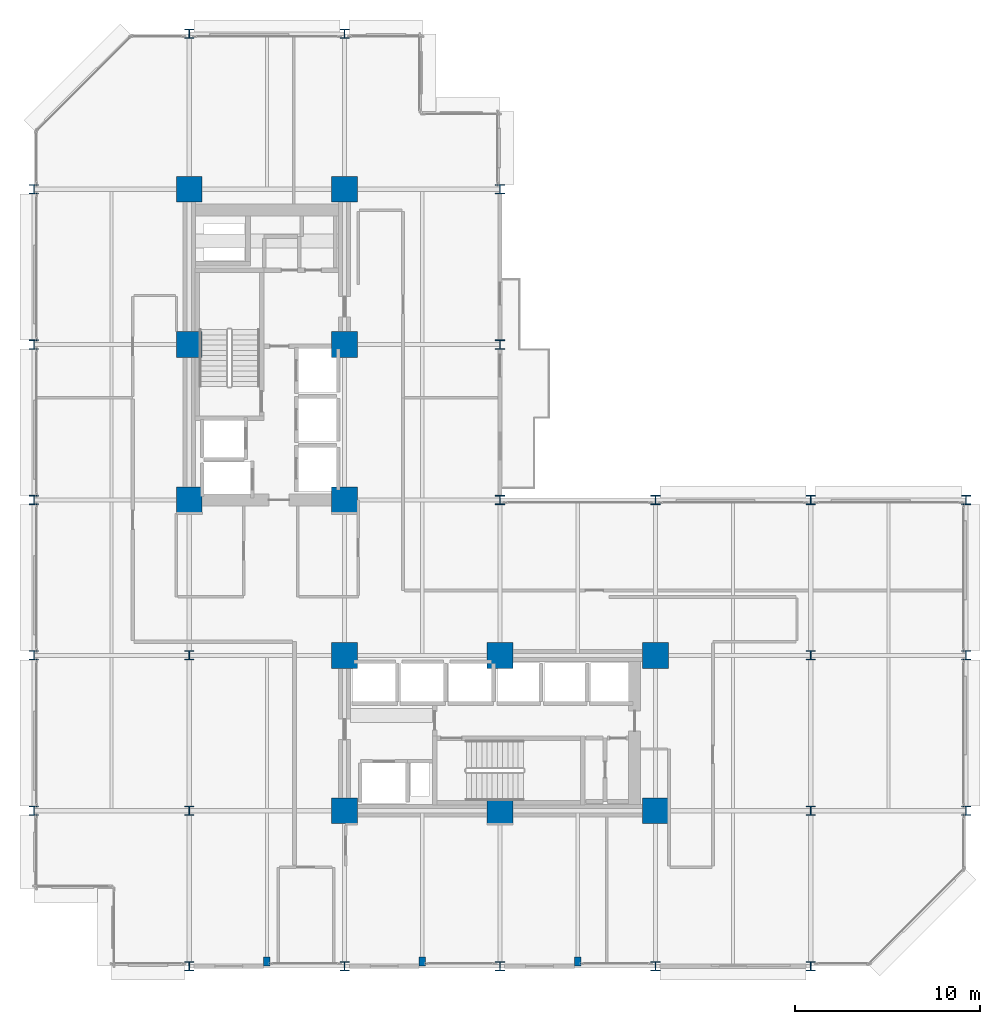
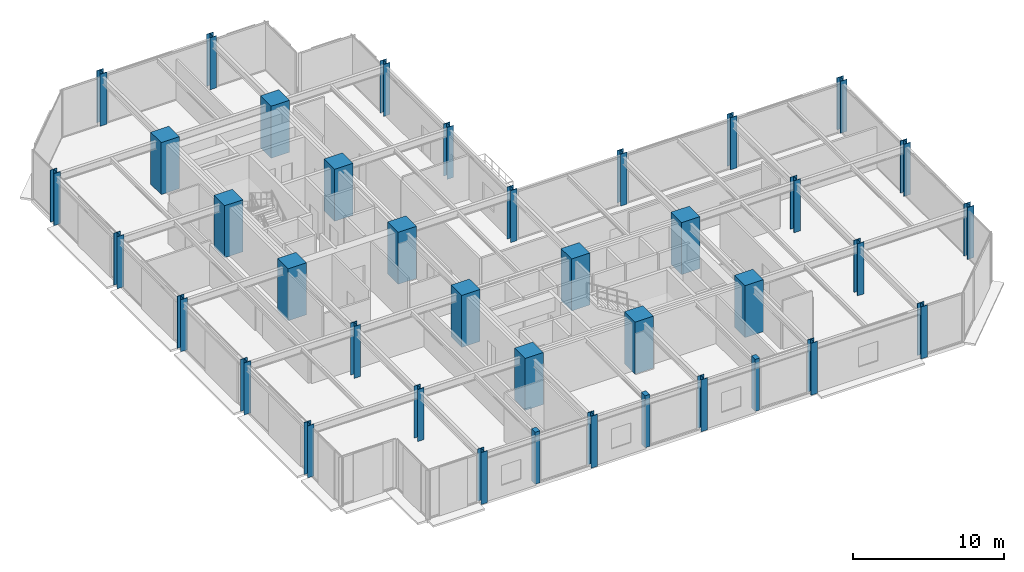
# One storey, part 1 of 25: 39 columns.
"""IFC4 building model written with IfcOpenShell, lengths in metres."""

from ifc_helpers import new_model, si_unit, direction, frame, origin, origin_2d, place, context, subcontext, project, spatial, rectangle, i_section, extrude, material, material_profile, profile_set, type_object, element, save


model = new_model("IFC4")

# Units and contexts
model_context = context("Model", 3, precision=1e-05, world=origin(), true_north=direction((0.0, 1.0)))
body_context = subcontext(model_context, "Body", "Model", "MODEL_VIEW")
ifc_project = project(units=[si_unit("LENGTHUNIT", "METRE"), si_unit("AREAUNIT", "SQUARE_METRE"), si_unit("VOLUMEUNIT", "CUBIC_METRE"), si_unit("PLANEANGLEUNIT", "RADIAN"), si_unit("MASSUNIT", "GRAM", prefix="KILO")], contexts=[model_context])

# Site, building, storey
site_placement = place(None, origin())
site = spatial("IfcSite", under=ifc_project, at=site_placement, CompositionType="ELEMENT")
building_placement = place(site_placement, origin())
building = spatial("IfcBuilding", under=site, at=building_placement, Name="Nerrivon Quay Data Exchange", CompositionType="ELEMENT")
storey_placement = place(building_placement, frame((0.0, 0.0, 54.199951171875)))
storey = spatial("IfcBuildingStorey", under=building, at=storey_placement, Name="L12", CompositionType="ELEMENT", Elevation=54.199951171875)

# Columns
ifc_material_1 = material(Name="Concrete N80 (80 MPa)", Category="concrete")
ifc_material_profile_1 = material_profile(ifc_material_1, rectangle(XDim=1.39990234375, YDim=1.39990234375, at=origin_2d()), Name="RC-COL-1400x1400")
ifc_profile_set_1 = profile_set([ifc_material_profile_1], Name="Concrete N80 (80 MPa)")
column_type_1 = type_object("IfcColumnType", Name="COL-C2-1400", PredefinedType="COLUMN", material=ifc_profile_set_1)
for number, where, z_axis, x_axis, name in (
    (1, (8.39990234375, 25.199951171875, 0.0), (0.0, 0.0, 1.0), (1.0, 0.0, 0.0), "L12 Column (8.4,25.2)"),
    (2, (8.39990234375, 33.60009765625, 0.0), (0.0, 0.0, 1.0), (1.0, 0.0, 0.0), "L12 Column (8.4,33.6)"),
    (3, (8.39990234375, 42.0, 0.0), (0.0, 0.0, 1.0), (1.0, 0.0, 0.0), "L12 Column (8.4,42.0)"),
    (4, (16.800048828125, 8.39990234375, 0.0), (0.0, 0.0, 1.0), (1.0, 0.0, 0.0), "L12 Column (16.8,8.4)"),
    (5, (16.800048828125, 16.800048828125, 0.0), (0.0, 0.0, 1.0), (1.0, 0.0, 0.0), "L12 Column (16.8,16.8)"),
    (6, (16.800048828125, 25.199951171875, 0.0), (0.0, 0.0, 1.0), (1.0, 0.0, 0.0), "L12 Column (16.8,25.2)"),
    (7, (16.800048828125, 33.60009765625, 0.0), (0.0, 0.0, 1.0), (1.0, 0.0, 0.0), "L12 Column (16.8,33.6)"),
    (8, (16.800048828125, 42.0, 0.0), (0.0, 0.0, 1.0), (1.0, 0.0, 0.0), "L12 Column (16.8,42.0)"),
    (9, (25.199951171875, 8.39990234375, 0.0), (0.0, 0.0, 1.0), (1.0, 0.0, 0.0), "L12 Column (25.2,8.4)"),
    (10, (25.199951171875, 16.800048828125, 0.0), (0.0, 0.0, 1.0), (1.0, 0.0, 0.0), "L12 Column (25.2,16.8)"),
    (11, (33.60009765625, 8.39990234375, 0.0), (0.0, 0.0, 1.0), (1.0, 0.0, 0.0), "L12 Column (33.6,8.4)"),
    (12, (33.60009765625, 16.800048828125, 0.0), (0.0, 0.0, 1.0), (1.0, 0.0, 0.0), "L12 Column (33.6,16.8)"),
):
    element("IfcColumn", number, at=place(storey_placement, frame(where, z_axis=z_axis, x_axis=x_axis)), inside=storey, type_object=column_type_1, Name=name, PredefinedType="COLUMN", context=body_context, shape_type="SweptSolid", body=[
        extrude(rectangle(XDim=1.39990234375, YDim=1.39990234375, at=origin_2d()), origin(), (0.0, 0.0, 1.0), 4.199951171875),
    ])
ifc_material_2 = material(Name="Steel Grade 350", Category="steel")
ifc_material_profile_2 = material_profile(ifc_material_2, i_section(OverallWidth=0.5, OverallDepth=0.5, WebThickness=0.028076171875, FlangeThickness=0.0400390625, at=origin_2d()), Name="500WC440")
ifc_profile_set_2 = profile_set([ifc_material_profile_2], Name="Steel Grade 350")
column_type_2 = type_object("IfcColumnType", Name="COL-SC1-500WC", PredefinedType="COLUMN", material=ifc_profile_set_2)
for number, where, z_axis, x_axis, name in (
    (13, (0.0, 8.39990234375, 0.0), (0.0, 0.0, 1.0), (1.0, 0.0, 0.0), "L12 Column (0.0,8.4)"),
    (14, (0.0, 16.800048828125, 0.0), (0.0, 0.0, 1.0), (1.0, 0.0, 0.0), "L12 Column (0.0,16.8)"),
    (15, (0.0, 25.199951171875, 0.0), (0.0, 0.0, 1.0), (1.0, 0.0, 0.0), "L12 Column (0.0,25.2)"),
    (16, (0.0, 33.60009765625, 0.0), (0.0, 0.0, 1.0), (1.0, 0.0, 0.0), "L12 Column (0.0,33.6)"),
    (17, (0.0, 42.0, 0.0), (0.0, 0.0, 1.0), (1.0, 0.0, 0.0), "L12 Column (0.0,42.0)"),
    (18, (8.39990234375, 0.0, 0.0), (0.0, 0.0, 1.0), (1.0, 0.0, 0.0), "L12 Column (8.4,0.0)"),
    (19, (8.39990234375, 8.39990234375, 0.0), (0.0, 0.0, 1.0), (1.0, 0.0, 0.0), "L12 Column (8.4,8.4)"),
    (20, (8.39990234375, 16.800048828125, 0.0), (0.0, 0.0, 1.0), (1.0, 0.0, 0.0), "L12 Column (8.4,16.8)"),
    (21, (8.39990234375, 50.39990234375, 0.0), (0.0, 0.0, 1.0), (1.0, 0.0, 0.0), "L12 Column (8.4,50.4)"),
    (22, (16.800048828125, 0.0, 0.0), (0.0, 0.0, 1.0), (1.0, 0.0, 0.0), "L12 Column (16.8,0.0)"),
    (23, (16.800048828125, 50.39990234375, 0.0), (0.0, 0.0, 1.0), (1.0, 0.0, 0.0), "L12 Column (16.8,50.4)"),
    (24, (25.199951171875, 0.0, 0.0), (0.0, 0.0, 1.0), (1.0, 0.0, 0.0), "L12 Column (25.2,0.0)"),
    (25, (25.199951171875, 25.199951171875, 0.0), (0.0, 0.0, 1.0), (1.0, 0.0, 0.0), "L12 Column (25.2,25.2)"),
    (26, (25.199951171875, 33.60009765625, 0.0), (0.0, 0.0, 1.0), (1.0, 0.0, 0.0), "L12 Column (25.2,33.6)"),
    (27, (25.199951171875, 42.0, 0.0), (0.0, 0.0, 1.0), (1.0, 0.0, 0.0), "L12 Column (25.2,42.0)"),
    (28, (33.60009765625, 0.0, 0.0), (0.0, 0.0, 1.0), (1.0, 0.0, 0.0), "L12 Column (33.6,0.0)"),
    (29, (33.60009765625, 25.199951171875, 0.0), (0.0, 0.0, 1.0), (1.0, 0.0, 0.0), "L12 Column (33.6,25.2)"),
    (30, (42.0, 0.0, 0.0), (0.0, 0.0, 1.0), (1.0, 0.0, 0.0), "L12 Column (42.0,0.0)"),
    (31, (42.0, 8.39990234375, 0.0), (0.0, 0.0, 1.0), (1.0, 0.0, 0.0), "L12 Column (42.0,8.4)"),
    (32, (42.0, 16.800048828125, 0.0), (0.0, 0.0, 1.0), (1.0, 0.0, 0.0), "L12 Column (42.0,16.8)"),
    (33, (42.0, 25.199951171875, 0.0), (0.0, 0.0, 1.0), (1.0, 0.0, 0.0), "L12 Column (42.0,25.2)"),
    (34, (50.39990234375, 8.39990234375, 0.0), (0.0, 0.0, 1.0), (1.0, 0.0, 0.0), "L12 Column (50.4,8.4)"),
    (35, (50.39990234375, 16.800048828125, 0.0), (0.0, 0.0, 1.0), (1.0, 0.0, 0.0), "L12 Column (50.4,16.8)"),
    (36, (50.39990234375, 25.199951171875, 0.0), (0.0, 0.0, 1.0), (1.0, 0.0, 0.0), "L12 Column (50.4,25.2)"),
):
    element("IfcColumn", number, at=place(storey_placement, frame(where, z_axis=z_axis, x_axis=x_axis)), inside=storey, type_object=column_type_2, Name=name, PredefinedType="COLUMN", context=body_context, shape_type="SweptSolid", body=[
        extrude(i_section(OverallWidth=0.5, OverallDepth=0.5, WebThickness=0.028076171875, FlangeThickness=0.0400390625, at=origin_2d()), origin(), (0.0, 0.0, 1.0), 4.199951171875),
    ])
ifc_material_3 = material(Name="Concrete N50 (50 MPa)", Category="concrete")
ifc_material_profile_3 = material_profile(ifc_material_3, rectangle(XDim=0.35009765625, YDim=0.5, at=origin_2d()), Name="RC-PIL-500x350")
ifc_profile_set_3 = profile_set([ifc_material_profile_3], Name="Concrete N50 (50 MPa)")
column_type_3 = type_object("IfcColumnType", Name="PIL-P2-500x350", PredefinedType="PILASTER", material=ifc_profile_set_3)
for number, where, z_axis, x_axis, name in (
    (37, (12.60009765625, 0.25, 0.0), (0.0, 0.0, 1.0), (1.0, 0.0, 0.0), "L12 Facade Pilaster (12.6)"),
    (38, (21.0, 0.25, 0.0), (0.0, 0.0, 1.0), (1.0, 0.0, 0.0), "L12 Facade Pilaster (21.0)"),
    (39, (29.39990234375, 0.25, 0.0), (0.0, 0.0, 1.0), (1.0, 0.0, 0.0), "L12 Facade Pilaster (29.4)"),
):
    element("IfcColumn", number, at=place(storey_placement, frame(where, z_axis=z_axis, x_axis=x_axis)), inside=storey, type_object=column_type_3, Name=name, PredefinedType="PILASTER", context=body_context, shape_type="SweptSolid", body=[
        extrude(rectangle(XDim=0.35009765625, YDim=0.5, at=origin_2d()), origin(), (0.0, 0.0, 1.0), 4.199951171875),
    ])

save(model, "model.ifc")
